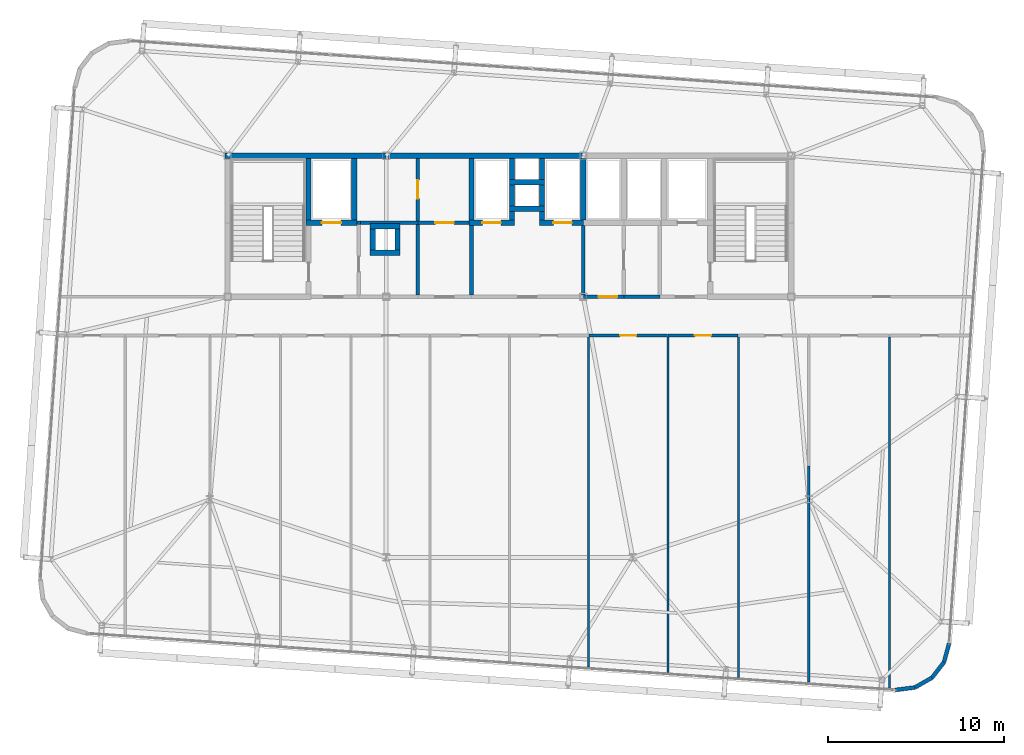
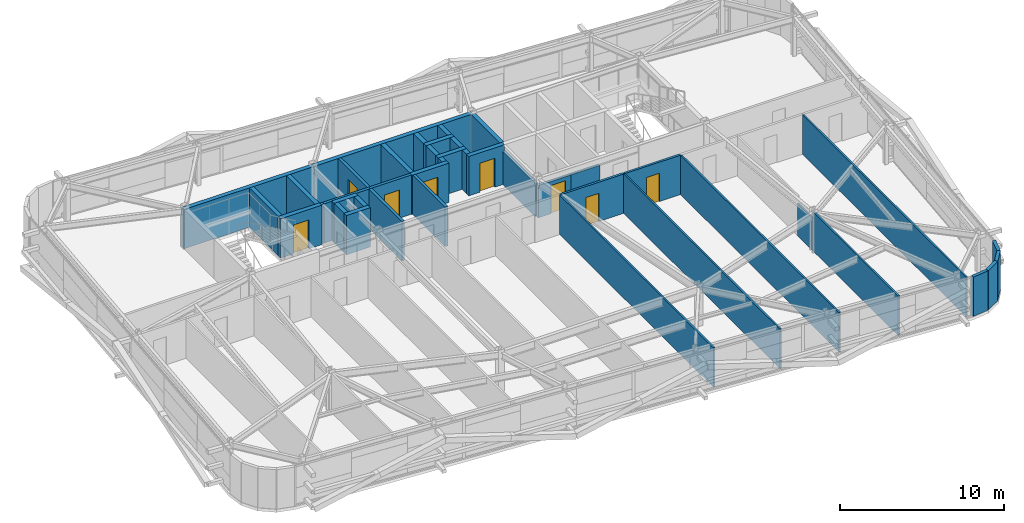
# One storey, part 36 of 39: 42 walls, 8 doors, 8 openings.
"""IFC4 building model written with IfcOpenShell, lengths in metres."""

import ifcopenshell
import ifcopenshell.guid

model = None  # the IFC model being written
_history = None  # IfcOwnerHistory: only IFC2X3 demands one
_inside = {}  # id of a spatial element -> (the spatial element, [elements in it])
_under = {}  # id of a project, library or spatial element -> (it, [spatial elements below it])
_declared = {}  # id of a project -> (the project, [libraries it declares])
_typed = {}  # id of a type object -> (the type object, [elements of that type])
_made_of = {}  # id of a material, layer set ... -> (it, [elements and type objects made of it])


def new_model(schema):
    """Start an empty IFC model of exactly this schema.

    Asked for "IFC4X3", IfcOpenShell would pick the latest addendum, in which some entities
    have other attributes; the version numbers below select the first issue.
    IFC2X3 requires an IfcOwnerHistory on every rooted entity: one is made here for all.
    """
    global model, _history
    if schema == "IFC4X3":
        model = ifcopenshell.file(schema_version=(4, 3, 0, 0))
    else:
        model = ifcopenshell.file(schema=schema)
    _inside.clear()
    _under.clear()
    _declared.clear()
    _typed.clear()
    _made_of.clear()
    _history = None
    if model.schema == "IFC2X3":
        org = make("IfcOrganization", Name="unknown")
        user = make(
            "IfcPersonAndOrganization",
            ThePerson=make("IfcPerson", FamilyName="unknown"),
            TheOrganization=org,
        )
        app = make(
            "IfcApplication",
            ApplicationDeveloper=org,
            Version="unknown",
            ApplicationFullName="unknown",
            ApplicationIdentifier="unknown",
        )
        _history = make(
            "IfcOwnerHistory",
            OwningUser=user,
            OwningApplication=app,
            ChangeAction="ADDED",
            CreationDate=0,
        )
    return model


def make(cls, **values):
    """One entity of the class cls with the attributes given. An attribute that is None is left unset."""
    return model.create_entity(
        cls, **{name: value for name, value in values.items() if value is not None}
    )


def rooted(cls, **values):
    """An entity with a GlobalId (a new one), such as an element, a storey or a relation."""
    return make(cls, GlobalId=ifcopenshell.guid.new(), OwnerHistory=_history, **values)


def si_unit(unit_type, name, prefix=None):
    """IfcSIUnit, for example si_unit("LENGTHUNIT", "METRE", prefix="MILLI")."""
    return make("IfcSIUnit", UnitType=unit_type, Prefix=prefix, Name=name)


def assignment(units):
    """IfcUnitAssignment: the units of a project."""
    return None if units is None else make("IfcUnitAssignment", Units=units)


def point(xyz):
    """IfcCartesianPoint."""
    return None if xyz is None else make("IfcCartesianPoint", Coordinates=xyz)


def direction(xyz):
    """IfcDirection."""
    return None if xyz is None else make("IfcDirection", DirectionRatios=xyz)


def frame(location, z_axis=None, x_axis=None):
    """IfcAxis2Placement3D, a coordinate frame: its origin and axes. An axis left out is left unset."""
    return make(
        "IfcAxis2Placement3D",
        Location=point(location),
        Axis=direction(z_axis),
        RefDirection=direction(x_axis),
    )


def frame_2d(location, x_axis=None):
    """IfcAxis2Placement2D, a coordinate frame in the plane: its origin and x axis."""
    return make(
        "IfcAxis2Placement2D", Location=point(location), RefDirection=direction(x_axis)
    )


def origin():
    """The frame at (0, 0, 0) with its axes left unset."""
    return frame((0.0, 0.0, 0.0))


def place(relative_to, where):
    """IfcLocalPlacement: puts the frame where relative to a parent placement (None: the world)."""
    return make(
        "IfcLocalPlacement", PlacementRelTo=relative_to, RelativePlacement=where
    )


def context(
    kind, dimensions, precision=None, world=None, true_north=None, identifier=None
):
    """IfcGeometricRepresentationContext, for example the 3D "Model" context."""
    return make(
        "IfcGeometricRepresentationContext",
        ContextIdentifier=identifier,
        ContextType=kind,
        CoordinateSpaceDimension=dimensions,
        Precision=precision,
        WorldCoordinateSystem=world,
        TrueNorth=true_north,
    )


def subcontext(parent, identifier, kind, view, scale=None):
    """IfcGeometricRepresentationSubContext, for example "Body" below "Model"."""
    return make(
        "IfcGeometricRepresentationSubContext",
        ContextIdentifier=identifier,
        ContextType=kind,
        ParentContext=parent,
        TargetScale=scale,
        TargetView=view,
    )


def project(units=None, contexts=None):
    """IfcProject with its units and contexts."""
    return rooted(
        "IfcProject",
        Name="project",
        RepresentationContexts=contexts,
        UnitsInContext=assignment(units),
    )


def spatial(cls, under=None, at=None, **own):
    """A site, building, storey or space (cls), placed at a placement, below another one or the project."""
    s = rooted(cls, ObjectPlacement=at, **own)
    if under is not None:
        _under.setdefault(under.id(), (under, []))[1].append(s)
    return s


def profile(cls, at=None, kind="AREA", **sizes):
    """A parametric profile (cls). Its sizes go by their IFC names, for example OverallWidth=200.0."""
    return make(cls, ProfileType=kind, Position=at, **sizes)


def rectangle(**sizes):
    """IfcRectangleProfileDef."""
    return profile("IfcRectangleProfileDef", **sizes)


def extrude(swept, where, along, depth):
    """IfcExtrudedAreaSolid: the profile swept, set in the frame where, extruded along a direction by depth."""
    return make(
        "IfcExtrudedAreaSolid",
        SweptArea=swept,
        Position=where,
        ExtrudedDirection=direction(along),
        Depth=depth,
    )


def shape(context_of_items, identifier, shape_type, items):
    """IfcShapeRepresentation: the items that make up one representation, for example the "Body"."""
    return make(
        "IfcShapeRepresentation",
        ContextOfItems=context_of_items,
        RepresentationIdentifier=identifier,
        RepresentationType=shape_type,
        Items=items,
    )


def source(mapping_origin, context_of_items, identifier, shape_type, items):
    """IfcRepresentationMap: a shape defined once, which mapped items show again and again."""
    return make(
        "IfcRepresentationMap",
        MappingOrigin=mapping_origin,
        MappedRepresentation=shape(context_of_items, identifier, shape_type, items),
    )


def transform(
    local_origin,
    x_axis=None,
    y_axis=None,
    z_axis=None,
    scale=None,
    scale2=None,
    scale3=None,
    uniform=True,
):
    """IfcCartesianTransformationOperator3D, or its non-uniform kind. x_axis, y_axis, z_axis: its Axis1, 2, 3."""
    if uniform:
        return make(
            "IfcCartesianTransformationOperator3D",
            Axis1=direction(x_axis),
            Axis2=direction(y_axis),
            LocalOrigin=point(local_origin),
            Scale=scale,
            Axis3=direction(z_axis),
        )
    return make(
        "IfcCartesianTransformationOperator3DnonUniform",
        Axis1=direction(x_axis),
        Axis2=direction(y_axis),
        LocalOrigin=point(local_origin),
        Scale=scale,
        Axis3=direction(z_axis),
        Scale2=scale2,
        Scale3=scale3,
    )


def mapped(mapping_source, mapping_target):
    """IfcMappedItem: shows the shape of a source again, moved by a transform."""
    return make(
        "IfcMappedItem", MappingSource=mapping_source, MappingTarget=mapping_target
    )


def material(Name=None, Category=None):
    """IfcMaterial."""
    return make("IfcMaterial", Name=Name, Category=Category)


def layer(
    of_material, thickness, ventilated=None, Name=None, Category=None, Priority=None
):
    """IfcMaterialLayer: one layer of a wall or slab, of a material (None: an air gap)."""
    return make(
        "IfcMaterialLayer",
        Material=of_material,
        LayerThickness=thickness,
        IsVentilated=ventilated,
        Name=Name,
        Category=Category,
        Priority=Priority,
    )


def layer_set(layers, Name=None):
    """IfcMaterialLayerSet."""
    return make("IfcMaterialLayerSet", MaterialLayers=layers, LayerSetName=Name)


def made_of(thing, what):
    """Note that an element or type object is made of a material, layer set ...; save() writes the relation."""
    if what is not None:
        _made_of.setdefault(what.id(), (what, []))[1].append(thing)
    return thing


def type_object(cls, material=None, **own):
    """A type object (cls), such as IfcWallType, which elements share."""
    return made_of(rooted(cls, **own), material)


def element(
    cls,
    number,
    at=None,
    inside=None,
    cuts=None,
    type_object=None,
    material=None,
    context=None,
    identifier="Body",
    shape_type=None,
    held_by="IfcProductDefinitionShape",
    body=None,
    shapes=None,
    **own,
):
    """One element of the class cls, such as IfcWall. Its Tag is "e" and its number.

    at: its placement. inside: the storey or other place that contains it. cuts: it is an
    opening in that element (IfcRelVoidsElement). A single representation is given by context,
    identifier, shape_type and body (its items); several are given by shapes. held_by: the class
    of the entity that holds the representations. save() writes the other relations.
    """
    e = rooted(cls, Tag="e%d" % number, ObjectPlacement=at, **own)
    if body is not None:
        shapes = [shape(context, identifier, shape_type, body)]
    if shapes is not None:
        e.Representation = make(held_by, Representations=shapes)
    if inside is not None:
        _inside.setdefault(inside.id(), (inside, []))[1].append(e)
    if cuts is not None:
        rooted(
            "IfcRelVoidsElement", RelatingBuildingElement=cuts, RelatedOpeningElement=e
        )
    if type_object is not None:
        _typed.setdefault(type_object.id(), (type_object, []))[1].append(e)
    return made_of(e, material)


def fill(opening, filler):
    """IfcRelFillsElement: the door or window that sits in an opening."""
    return rooted(
        "IfcRelFillsElement",
        RelatingOpeningElement=opening,
        RelatedBuildingElement=filler,
    )


def aggregate(whole, parts):
    """IfcRelAggregates: a whole, such as a stair, and the parts it consists of."""
    return rooted("IfcRelAggregates", RelatingObject=whole, RelatedObjects=parts)


def save(model, path):
    """Write the relations noted so far, then the file.

    IfcRelAggregates (storeys below a building ...), IfcRelContainedInSpatialStructure (elements
    in a storey), IfcRelDefinesByType, IfcRelAssociatesMaterial and IfcRelDeclares: one each for
    every whole, place, type object, material and project.
    """
    for whole, parts in _under.values():
        aggregate(whole, parts)
    for where, things in _inside.values():
        rooted(
            "IfcRelContainedInSpatialStructure",
            RelatedElements=things,
            RelatingStructure=where,
        )
    for kind, things in _typed.values():
        rooted("IfcRelDefinesByType", RelatedObjects=things, RelatingType=kind)
    for what, things in _made_of.values():
        rooted("IfcRelAssociatesMaterial", RelatedObjects=things, RelatingMaterial=what)
    for by, libraries in _declared.values():
        rooted("IfcRelDeclares", RelatingContext=by, RelatedDefinitions=libraries)
    model.write(path)


model = new_model("IFC4")

# Units and contexts
model_context = context("Model", 3, precision=1e-05, world=origin(), true_north=direction((0.0, 1.0)))
body_context = subcontext(model_context, "Body", "Model", "MODEL_VIEW")
ifc_project = project(units=[si_unit("LENGTHUNIT", "METRE"), si_unit("AREAUNIT", "SQUARE_METRE"), si_unit("VOLUMEUNIT", "CUBIC_METRE"), si_unit("PLANEANGLEUNIT", "RADIAN"), si_unit("MASSUNIT", "GRAM", prefix="KILO")], contexts=[model_context])

# Site, building, storey
site_placement = place(None, origin())
site = spatial("IfcSite", under=ifc_project, at=site_placement, CompositionType="ELEMENT")
building_placement = place(site_placement, origin())
building = spatial("IfcBuilding", under=site, at=building_placement, Name="Taldren Reach Tower", CompositionType="ELEMENT")
storey_placement = place(building_placement, frame((0.0, 0.0, 158.199951171875)))
storey = spatial("IfcBuildingStorey", under=building, at=storey_placement, Name="L48", CompositionType="ELEMENT", Elevation=158.199951171875)

# Walls
ifc_material_1 = material(Name="Pale Champagne Anodised Aluminium Cladding", Category="aluminium")
ifc_layer_1 = layer(ifc_material_1, 0.04, Name="Pale Champagne Anodised Aluminium Cladding", Category="aluminium")
ifc_material_2 = material(Name="Mineral Wool Acoustic Insulation", Category="insulation")
ifc_layer_2 = layer(ifc_material_2, 0.06, Name="Mineral Wool Acoustic Insulation", Category="insulation")
ifc_material_3 = material(Name="Steel Gr 350 (C350L0)", Category="steel")
ifc_layer_3 = layer(ifc_material_3, 0.12, Name="Steel Gr 350 (C350L0)", Category="steel")
ifc_layer_set_1 = layer_set([ifc_layer_1, ifc_layer_2, ifc_layer_3], Name="Pale Champagne Aluminium Cladding and Steel Gr 350 Stud Framing")
wall_type_1 = type_object("IfcWallType", Name="EW-CRN-220", PredefinedType="SOLIDWALL", material=ifc_layer_set_1)
shared_shape_1 = source(origin(), body_context, "Body", "SweptSolid", [
    extrude(rectangle(XDim=1.115966796875, YDim=0.219970703125, at=frame_2d((0.55810546875, 0.0))), origin(), (0.0, 0.0, 1.0), 2.929931640625),
])
for number, where, z_axis, x_axis, name in (
    (1, (58.02490234375, 1.8173828125, 0.0), (0.0, 0.0, 1.0), (0.868095010314, 0.496398079235, 0.0), "Rounded-corner pale-metal facade wall L48-SE2"),
    (2, (58.99365234375, 2.371337890625, 0.0), (0.0, 0.0, 1.0), (0.612318787668, 0.790610967714, 0.0), "Rounded-corner pale-metal facade wall L48-SE3"),
    (3, (59.677001953125, 3.253662109375, 0.0), (0.0, 0.0, 1.0), (0.262969307856, 0.964804199372, 0.0), "Rounded-corner pale-metal facade wall L48-SE4"),
):
    element("IfcWall", number, at=place(storey_placement, frame(where, z_axis=z_axis, x_axis=x_axis)), inside=storey, type_object=wall_type_1, Name=name, PredefinedType="SOLIDWALL", context=body_context, shape_type="MappedRepresentation", body=[
        mapped(shared_shape_1, transform((0.0, 0.0, 0.0), scale=1.0)),
    ])
shared_shape_2 = source(origin(), body_context, "Body", "SweptSolid", [
    extrude(rectangle(XDim=1.11572265625, YDim=0.219970703125, at=frame_2d((0.557861328125, 0.0))), origin(), (0.0, 0.0, 1.0), 2.929931640625),
])
wall_1_placement = place(storey_placement, frame((56.91796875, 1.6767578125, 0.0), z_axis=(0.0, 0.0, 1.0), x_axis=(0.99202678349, 0.126027222605, 0.0)))
element("IfcWall", 4, at=wall_1_placement, inside=storey, type_object=wall_type_1, Name="Rounded-corner pale-metal facade wall L48-SE1", PredefinedType="SOLIDWALL", context=body_context, shape_type="MappedRepresentation", body=[
    mapped(shared_shape_2, transform((0.0, 0.0, 0.0), scale=1.0)),
])

# Wall, opening, door
ifc_material_4 = material(Name="Fire-Rated Acoustic Plasterboard Stud Wall", Category="gypsum")
ifc_layer_4 = layer(ifc_material_4, 0.159912109375)
ifc_layer_set_2 = layer_set([ifc_layer_4], Name="Fire-Rated Acoustic Plasterboard Stud Wall")
wall_type_2 = type_object("IfcWallType", Name="IW-FIRE-160", PredefinedType="PARTITIONING", material=ifc_layer_set_2)
shared_shape_3 = source(origin(), body_context, "Body", "SweptSolid", [
    extrude(rectangle(XDim=3.95947265625, YDim=0.159912109375, at=frame_2d((1.979736328125, 0.0))), origin(), (0.0, 0.0, 1.0), 2.929931640625),
])
wall_2_placement = place(storey_placement, frame((47.979736328125, 21.800048828125, 0.0), z_axis=(0.0, 0.0, 1.0), x_axis=(-1.0, 0.0, 0.0)))
wall_2 = element("IfcWall", 5, at=wall_2_placement, inside=storey, type_object=wall_type_2, Name="Interior Partition Wall W-INT-L48-054", PredefinedType="PARTITIONING", context=body_context, shape_type="MappedRepresentation", body=[
    mapped(shared_shape_3, transform((0.0, 0.0, 0.0), scale=1.0)),
])
shared_shape_4 = source(origin(), body_context, "Body", "SweptSolid", [
    extrude(rectangle(XDim=0.919921875, YDim=2.10009765625, at=frame_2d((0.4599609375, 1.050048828125))), frame((0.0, 0.08984375, 0.0), z_axis=(0.0, -1.0, 0.0), x_axis=(1.0, 0.0, 0.0)), (0.0, 0.0, 1.0), 0.179931640625),
])
opening_1_placement = place(wall_2_placement, frame((1.519775390625, 0.0, 0.0)))
opening_1 = element("IfcOpeningElement", 6, at=opening_1_placement, cuts=wall_2, Name="Opening DI-092", PredefinedType="OPENING", context=body_context, shape_type="MappedRepresentation", body=[
    mapped(shared_shape_4, transform((0.0, 0.0, 0.0), scale=1.0)),
])
ifc_material_5 = material(Name="Solid-Core Timber Suite Door", Category="wood")
door_type_1 = type_object("IfcDoorType", Name="ID-INT-092", OperationType="NOTDEFINED", PredefinedType="DOOR", material=ifc_material_5)
shared_shape_5 = source(origin(), body_context, "Body", "SweptSolid", [
    extrude(rectangle(XDim=0.919921875, YDim=2.10009765625, at=frame_2d((0.4599609375, 1.050048828125))), frame((0.0, 0.02490234375, 0.0), z_axis=(0.0, -1.0, 0.0), x_axis=(1.0, 0.0, 0.0)), (0.0, 0.0, 1.0), 0.050048828125),
])
door_1_placement = place(opening_1_placement, origin())
door_1 = element("IfcDoor", 7, at=door_1_placement, inside=storey, type_object=door_type_1, Name="Interior Door DR-L48-019", OperationType="SINGLE_SWING_RIGHT", OverallHeight=2.10009765625, OverallWidth=0.919921875, PredefinedType="DOOR", context=body_context, shape_type="MappedRepresentation", body=[
    mapped(shared_shape_5, transform((0.0, 0.0, 0.0), scale=1.0)),
])
fill(opening_1, door_1)

ifc_material_6 = material(Name="Concrete S50 (50 MPa)", Category="concrete")
ifc_layer_5 = layer(ifc_material_6, 0.199951171875)
ifc_layer_set_3 = layer_set([ifc_layer_5], Name="Concrete S50 (50 MPa)")
wall_type_3 = type_object("IfcWallType", Name="IW-CORE-200", PredefinedType="SOLIDWALL", material=ifc_layer_set_3)
shared_shape_6 = source(origin(), body_context, "Body", "SweptSolid", [
    extrude(rectangle(XDim=2.300048828125, YDim=0.199951171875, at=frame_2d((1.14990234375, 0.0))), origin(), (0.0, 0.0, 1.0), 2.39697265625),
])
wall_3_placement = place(storey_placement, frame((41.5, 24.0, 0.0), z_axis=(0.0, 0.0, 1.0), x_axis=(-1.0, 0.0, 0.0)))
wall_3 = element("IfcWall", 8, at=wall_3_placement, inside=storey, type_object=wall_type_3, Name="Rear Core Shear Wall W-INT-L48-044", PredefinedType="SOLIDWALL", context=body_context, shape_type="MappedRepresentation", body=[
    mapped(shared_shape_6, transform((0.0, 0.0, 0.0), scale=1.0)),
])
shared_shape_7 = source(origin(), body_context, "Body", "SweptSolid", [
    extrude(rectangle(XDim=1.050048828125, YDim=2.10009765625, at=frame_2d((0.52490234375, 1.050048828125))), frame((0.0, 0.10986328125, 0.0), z_axis=(0.0, -1.0, 0.0), x_axis=(1.0, 0.0, 0.0)), (0.0, 0.0, 1.0), 0.219970703125),
])
opening_2_placement = place(wall_3_placement, frame((0.375, 0.0, 0.0)))
opening_2 = element("IfcOpeningElement", 9, at=opening_2_placement, cuts=wall_3, Name="Opening DF-105", PredefinedType="OPENING", context=body_context, shape_type="MappedRepresentation", body=[
    mapped(shared_shape_7, transform((0.0, 0.0, 0.0), scale=1.0)),
])
ifc_material_7 = material(Name="Fire-Rated Care and Stair Exit Door")
door_type_2 = type_object("IfcDoorType", Name="ID-FIRE-105", OperationType="NOTDEFINED", PredefinedType="DOOR", material=ifc_material_7)
shared_shape_8 = source(origin(), body_context, "Body", "SweptSolid", [
    extrude(rectangle(XDim=1.050048828125, YDim=2.10009765625, at=frame_2d((0.52490234375, 1.050048828125))), frame((0.0, 0.02490234375, 0.0), z_axis=(0.0, -1.0, 0.0), x_axis=(1.0, 0.0, 0.0)), (0.0, 0.0, 1.0), 0.050048828125),
])
door_2_placement = place(opening_2_placement, frame((1.050048828125, 0.0, 0.0), z_axis=(0.0, 0.0, 1.0), x_axis=(-1.0, 0.0, 0.0)))
door_2 = element("IfcDoor", 10, at=door_2_placement, inside=storey, type_object=door_type_2, Name="Interior Door DR-L48-010", OperationType="SINGLE_SWING_RIGHT", OverallHeight=2.10009765625, OverallWidth=1.050048828125, PredefinedType="DOOR", context=body_context, shape_type="MappedRepresentation", body=[
    mapped(shared_shape_8, transform((0.0, 0.0, 0.0), scale=1.0)),
])
fill(opening_2, door_2)

# Walls
shared_shape_9 = source(origin(), body_context, "Body", "SweptSolid", [
    extrude(rectangle(XDim=2.050048828125, YDim=0.199951171875, at=frame_2d((1.02490234375, 0.0))), origin(), (0.0, 0.0, 1.0), 2.39697265625),
])
wall_4_placement = place(storey_placement, frame((43.550048828125, 24.0, 0.0), z_axis=(0.0, 0.0, 1.0), x_axis=(-1.0, 0.0, 0.0)))
element("IfcWall", 11, at=wall_4_placement, inside=storey, type_object=wall_type_3, Name="Rear Core Shear Wall W-INT-L48-045", PredefinedType="SOLIDWALL", context=body_context, shape_type="MappedRepresentation", body=[
    mapped(shared_shape_9, transform((0.0, 0.0, 0.0), scale=1.0)),
])
ifc_material_8 = material(Name="Concrete S65 (65 MPa)", Category="concrete")
ifc_layer_6 = layer(ifc_material_8, 0.300048828125)
ifc_layer_set_4 = layer_set([ifc_layer_6], Name="Concrete S65 (65 MPa)")
wall_type_4 = type_object("IfcWallType", Name="IW-CORE-300", PredefinedType="SHEAR", material=ifc_layer_set_4)
shared_shape_10 = source(origin(), body_context, "Body", "SweptSolid", [
    extrude(rectangle(XDim=9.14990234375, YDim=0.300048828125, at=frame_2d((4.574951171875, 0.0))), origin(), (0.0, 0.0, 1.0), 2.929931640625),
])
wall_5_placement = place(storey_placement, frame((18.85009765625, 32.0, 0.0), z_axis=(0.0, 0.0, 1.0), x_axis=(1.0, 0.0, 0.0)))
element("IfcWall", 12, at=wall_5_placement, inside=storey, type_object=wall_type_4, Name="Rear Core Shear Wall W-CORE-L48-NORTH1", PredefinedType="SHEAR", context=body_context, shape_type="MappedRepresentation", body=[
    mapped(shared_shape_10, transform((0.0, 0.0, 0.0), scale=1.0)),
])
shared_shape_11 = source(origin(), body_context, "Body", "SweptSolid", [
    extrude(rectangle(XDim=11.199951171875, YDim=0.300048828125, at=frame_2d((5.60009765625, 0.0))), origin(), (0.0, 0.0, 1.0), 2.929931640625),
])
wall_6_placement = place(storey_placement, frame((28.0, 32.0, 0.0), z_axis=(0.0, 0.0, 1.0), x_axis=(1.0, 0.0, 0.0)))
element("IfcWall", 13, at=wall_6_placement, inside=storey, type_object=wall_type_4, Name="Rear Core Shear Wall W-CORE-L48-NORTH2", PredefinedType="SHEAR", context=body_context, shape_type="MappedRepresentation", body=[
    mapped(shared_shape_11, transform((0.0, 0.0, 0.0), scale=1.0)),
])
shared_shape_12 = source(origin(), body_context, "Body", "SweptSolid", [
    extrude(rectangle(XDim=3.5, YDim=0.300048828125, at=frame_2d((1.75, 0.0))), origin(), (0.0, 0.0, 1.0), 2.929931640625),
])
for number, where, z_axis, x_axis, name in (
    (14, (23.60009765625, 28.35009765625, 0.0), (0.0, 0.0, 1.0), (0.0, 1.0, 0.0), "Rear Core Shear Wall W-INT-L48-001"),
    (15, (26.199951171875, 28.35009765625, 0.0), (0.0, 0.0, 1.0), (0.0, 1.0, 0.0), "Rear Core Shear Wall W-INT-L48-005"),
    (16, (32.85009765625, 31.85009765625, 0.0), (0.0, 0.0, 1.0), (0.0, -1.0, 0.0), "Rear Core Shear Wall W-INT-L48-027"),
    (17, (39.199951171875, 28.35009765625, 0.0), (0.0, 0.0, 1.0), (0.0, 1.0, 0.0), "Rear Core Shear Wall W-INT-L48-030"),
):
    element("IfcWall", number, at=place(storey_placement, frame(where, z_axis=z_axis, x_axis=x_axis)), inside=storey, type_object=wall_type_4, Name=name, PredefinedType="SHEAR", context=body_context, shape_type="MappedRepresentation", body=[
        mapped(shared_shape_12, transform((0.0, 0.0, 0.0), scale=1.0)),
    ])

# Wall, opening, door
shared_shape_13 = source(origin(), body_context, "Body", "SweptSolid", [
    extrude(rectangle(XDim=2.900146484375, YDim=0.300048828125, at=frame_2d((1.4501953125, 0.0))), origin(), (0.0, 0.0, 1.0), 2.929931640625),
])
wall_7_placement = place(storey_placement, frame((23.449951171875, 28.199951171875, 0.0), z_axis=(0.0, 0.0, 1.0), x_axis=(1.0, 0.0, 0.0)))
wall_7 = element("IfcWall", 18, at=wall_7_placement, inside=storey, type_object=wall_type_4, Name="Rear Core Shear Wall W-INT-L48-004", PredefinedType="SHEAR", context=body_context, shape_type="MappedRepresentation", body=[
    mapped(shared_shape_13, transform((0.0, 0.0, 0.0), scale=1.0)),
])
shared_shape_14 = source(origin(), body_context, "Body", "SweptSolid", [
    extrude(rectangle(XDim=1.10009765625, YDim=2.14990234375, at=frame_2d((0.550048828125, 1.074951171875))), frame((0.0, 0.16015625, 0.0), z_axis=(0.0, -1.0, 0.0), x_axis=(1.0, 0.0, 0.0)), (0.0, 0.0, 1.0), 0.320068359375),
])
opening_3_placement = place(wall_7_placement, frame((0.89990234375, 0.0, 0.0)))
opening_3 = element("IfcOpeningElement", 19, at=opening_3_placement, cuts=wall_7, Name="Opening LD-FL1", PredefinedType="OPENING", context=body_context, shape_type="MappedRepresentation", body=[
    mapped(shared_shape_14, transform((0.0, 0.0, 0.0), scale=1.0)),
])
ifc_material_9 = material(Name="Stainless Steel Gr 316 Emergency Lift Landing Door", Category="steel")
door_type_3 = type_object("IfcDoorType", Name="LD-EMG-110", OperationType="SLIDING_TO_LEFT", PredefinedType="DOOR", material=ifc_material_9)
shared_shape_15 = source(origin(), body_context, "Body", "SweptSolid", [
    extrude(rectangle(XDim=1.10009765625, YDim=2.14990234375, at=frame_2d((0.550048828125, 1.074951171875))), frame((0.0, 0.02490234375, 0.0), z_axis=(0.0, -1.0, 0.0), x_axis=(1.0, 0.0, 0.0)), (0.0, 0.0, 1.0), 0.050048828125),
])
door_3_placement = place(opening_3_placement, origin())
door_3 = element("IfcDoor", 20, at=door_3_placement, inside=storey, type_object=door_type_3, Name="Lift Landing Door LD-FL1-L48", OperationType="SLIDING_TO_LEFT", OverallHeight=2.14990234375, OverallWidth=1.10009765625, PredefinedType="DOOR", context=body_context, shape_type="MappedRepresentation", body=[
    mapped(shared_shape_15, transform((0.0, 0.0, 0.0), scale=1.0)),
])
fill(opening_3, door_3)

# Walls
shared_shape_16 = source(origin(), body_context, "Body", "SweptSolid", [
    extrude(rectangle(XDim=3.949951171875, YDim=0.199951171875, at=frame_2d((1.97509765625, 0.0))), origin(), (0.0, 0.0, 1.0), 2.929931640625),
])
wall_8_placement = place(storey_placement, frame((32.85009765625, 24.10009765625, 0.0), z_axis=(0.0, 0.0, 1.0), x_axis=(0.0, 1.0, 0.0)))
element("IfcWall", 21, at=wall_8_placement, inside=storey, type_object=wall_type_3, Name="Rear Core Shear Wall W-INT-L48-031", PredefinedType="SOLIDWALL", context=body_context, shape_type="MappedRepresentation", body=[
    mapped(shared_shape_16, transform((0.0, 0.0, 0.0), scale=1.0)),
])
shared_shape_17 = source(origin(), body_context, "Body", "SweptSolid", [
    extrude(rectangle(XDim=2.0, YDim=0.300048828125, at=frame_2d((1.0, 0.0))), origin(), (0.0, 0.0, 1.0), 2.929931640625),
])
for number, where, z_axis, x_axis, name in (
    (22, (35.0, 30.5, 0.0), (0.0, 0.0, 1.0), (1.0, 0.0, 0.0), "Rear Core Shear Wall W-INT-L48-015"),
    (23, (35.0, 29.0, 0.0), (0.0, 0.0, 1.0), (1.0, 0.0, 0.0), "Rear Core Shear Wall W-INT-L48-020"),
):
    element("IfcWall", number, at=place(storey_placement, frame(where, z_axis=z_axis, x_axis=x_axis)), inside=storey, type_object=wall_type_4, Name=name, PredefinedType="SHEAR", context=body_context, shape_type="MappedRepresentation", body=[
        mapped(shared_shape_17, transform((0.0, 0.0, 0.0), scale=1.0)),
    ])
shared_shape_18 = source(origin(), body_context, "Body", "SweptSolid", [
    extrude(rectangle(XDim=1.2001953125, YDim=0.300048828125, at=frame_2d((0.60009765625, 0.0))), origin(), (0.0, 0.0, 1.0), 2.929931640625),
])
for number, where, z_axis, x_axis, name in (
    (24, (35.14990234375, 31.85009765625, 0.0), (0.0, 0.0, 1.0), (0.0, -1.0, 0.0), "Rear Core Shear Wall W-INT-L48-016"),
    (25, (36.85009765625, 30.64990234375, 0.0), (0.0, 0.0, 1.0), (0.0, 1.0, 0.0), "Rear Core Shear Wall W-INT-L48-017"),
    (26, (35.14990234375, 30.35009765625, 0.0), (0.0, 0.0, 1.0), (0.0, -1.0, 0.0), "Rear Core Shear Wall W-INT-L48-018"),
    (27, (36.85009765625, 29.14990234375, 0.0), (0.0, 0.0, 1.0), (0.0, 1.0, 0.0), "Rear Core Shear Wall W-INT-L48-019"),
    (28, (28.64990234375, 26.64990234375, 0.0), (0.0, 0.0, 1.0), (0.0, 1.0, 0.0), "Rear Core Shear Wall W-INT-L48-021"),
    (29, (27.25, 27.85009765625, 0.0), (0.0, 0.0, 1.0), (0.0, -1.0, 0.0), "Rear Core Shear Wall W-INT-L48-022"),
):
    element("IfcWall", number, at=place(storey_placement, frame(where, z_axis=z_axis, x_axis=x_axis)), inside=storey, type_object=wall_type_4, Name=name, PredefinedType="SHEAR", context=body_context, shape_type="MappedRepresentation", body=[
        mapped(shared_shape_18, transform((0.0, 0.0, 0.0), scale=1.0)),
    ])
shared_shape_19 = source(origin(), body_context, "Body", "SweptSolid", [
    extrude(rectangle(XDim=0.5, YDim=0.300048828125, at=frame_2d((0.25, 0.0))), origin(), (0.0, 0.0, 1.0), 2.929931640625),
])
for number, where, z_axis, x_axis, name in (
    (30, (35.14990234375, 28.35009765625, 0.0), (0.0, 0.0, 1.0), (0.0, 1.0, 0.0), "Rear Core Shear Wall W-INT-L48-026"),
    (31, (36.85009765625, 28.85009765625, 0.0), (0.0, 0.0, 1.0), (0.0, -1.0, 0.0), "Rear Core Shear Wall W-INT-L48-029"),
):
    element("IfcWall", number, at=place(storey_placement, frame(where, z_axis=z_axis, x_axis=x_axis)), inside=storey, type_object=wall_type_4, Name=name, PredefinedType="SHEAR", context=body_context, shape_type="MappedRepresentation", body=[
        mapped(shared_shape_19, transform((0.0, 0.0, 0.0), scale=1.0)),
    ])

# Wall, opening, door
shared_shape_20 = source(origin(), body_context, "Body", "SweptSolid", [
    extrude(rectangle(XDim=2.60009765625, YDim=0.300048828125, at=frame_2d((1.300048828125, 0.0))), origin(), (0.0, 0.0, 1.0), 2.929931640625),
])
wall_9_placement = place(storey_placement, frame((32.699951171875, 28.199951171875, 0.0), z_axis=(0.0, 0.0, 1.0), x_axis=(1.0, 0.0, 0.0)))
wall_9 = element("IfcWall", 32, at=wall_9_placement, inside=storey, type_object=wall_type_4, Name="Rear Core Shear Wall W-INT-L48-025", PredefinedType="SHEAR", context=body_context, shape_type="MappedRepresentation", body=[
    mapped(shared_shape_20, transform((0.0, 0.0, 0.0), scale=1.0)),
])
shared_shape_21 = source(origin(), body_context, "Body", "SweptSolid", [
    extrude(rectangle(XDim=1.050048828125, YDim=2.14990234375, at=frame_2d((0.52490234375, 1.074951171875))), frame((0.0, 0.16015625, 0.0), z_axis=(0.0, -1.0, 0.0), x_axis=(1.0, 0.0, 0.0)), (0.0, 0.0, 1.0), 0.320068359375),
])
opening_4_placement = place(wall_9_placement, frame((0.77490234375, 0.0, 0.0)))
opening_4 = element("IfcOpeningElement", 33, at=opening_4_placement, cuts=wall_9, Name="Opening LD-PM1", PredefinedType="OPENING", context=body_context, shape_type="MappedRepresentation", body=[
    mapped(shared_shape_21, transform((0.0, 0.0, 0.0), scale=1.0)),
])
ifc_material_10 = material(Name="Stainless Steel Gr 316 Passenger Lift Landing Door", Category="steel")
door_type_4 = type_object("IfcDoorType", Name="LD-PAS-105", OperationType="SLIDING_TO_LEFT", PredefinedType="DOOR", material=ifc_material_10)
shared_shape_22 = source(origin(), body_context, "Body", "SweptSolid", [
    extrude(rectangle(XDim=1.050048828125, YDim=2.14990234375, at=frame_2d((0.52490234375, 1.074951171875))), frame((0.0, 0.02490234375, 0.0), z_axis=(0.0, -1.0, 0.0), x_axis=(1.0, 0.0, 0.0)), (0.0, 0.0, 1.0), 0.050048828125),
])
door_4_placement = place(opening_4_placement, origin())
door_4 = element("IfcDoor", 34, at=door_4_placement, inside=storey, type_object=door_type_4, Name="Lift Landing Door LD-PM1-L48", OperationType="SLIDING_TO_LEFT", OverallHeight=2.14990234375, OverallWidth=1.050048828125, PredefinedType="DOOR", context=body_context, shape_type="MappedRepresentation", body=[
    mapped(shared_shape_22, transform((0.0, 0.0, 0.0), scale=1.0)),
])
fill(opening_4, door_4)

# Walls
shared_shape_23 = source(origin(), body_context, "Body", "SweptSolid", [
    extrude(rectangle(XDim=4.0, YDim=0.199951171875, at=frame_2d((2.0, 0.0))), origin(), (0.0, 0.0, 1.0), 2.929931640625),
])
wall_10_placement = place(storey_placement, frame((29.800048828125, 28.10009765625, 0.0), z_axis=(0.0, 0.0, 1.0), x_axis=(0.0, -1.0, 0.0)))
element("IfcWall", 35, at=wall_10_placement, inside=storey, type_object=wall_type_3, Name="Rear Core Shear Wall W-INT-L48-037", PredefinedType="SOLIDWALL", context=body_context, shape_type="MappedRepresentation", body=[
    mapped(shared_shape_23, transform((0.0, 0.0, 0.0), scale=1.0)),
])
shared_shape_24 = source(origin(), body_context, "Body", "SweptSolid", [
    extrude(rectangle(XDim=1.699951171875, YDim=0.300048828125, at=frame_2d((0.85009765625, 0.0))), origin(), (0.0, 0.0, 1.0), 2.929931640625),
])
for number, where, z_axis, x_axis, name in (
    (36, (28.800048828125, 28.0, 0.0), (0.0, 0.0, 1.0), (-1.0, 0.0, 0.0), "Rear Core Shear Wall W-INT-L48-023"),
    (37, (27.10009765625, 26.5, 0.0), (0.0, 0.0, 1.0), (1.0, 0.0, 0.0), "Rear Core Shear Wall W-INT-L48-024"),
):
    element("IfcWall", number, at=place(storey_placement, frame(where, z_axis=z_axis, x_axis=x_axis)), inside=storey, type_object=wall_type_4, Name=name, PredefinedType="SHEAR", context=body_context, shape_type="MappedRepresentation", body=[
        mapped(shared_shape_24, transform((0.0, 0.0, 0.0), scale=1.0)),
    ])

# Wall, opening, door
shared_shape_25 = source(origin(), body_context, "Body", "SweptSolid", [
    extrude(rectangle(XDim=2.5, YDim=0.300048828125, at=frame_2d((1.25, 0.0))), origin(), (0.0, 0.0, 1.0), 2.929931640625),
])
wall_11_placement = place(storey_placement, frame((36.699951171875, 28.199951171875, 0.0), z_axis=(0.0, 0.0, 1.0), x_axis=(1.0, 0.0, 0.0)))
wall_11 = element("IfcWall", 38, at=wall_11_placement, inside=storey, type_object=wall_type_4, Name="Rear Core Shear Wall W-INT-L48-028", PredefinedType="SHEAR", context=body_context, shape_type="MappedRepresentation", body=[
    mapped(shared_shape_25, transform((0.0, 0.0, 0.0), scale=1.0)),
])
opening_5_placement = place(wall_11_placement, frame((0.794921875, 0.0, 0.0)))
opening_5 = element("IfcOpeningElement", 39, at=opening_5_placement, cuts=wall_11, Name="Opening LD-PM2", PredefinedType="OPENING", context=body_context, shape_type="MappedRepresentation", body=[
    mapped(shared_shape_21, transform((0.0, 0.0, 0.0), scale=1.0)),
])
door_5_placement = place(opening_5_placement, origin())
door_5 = element("IfcDoor", 40, at=door_5_placement, inside=storey, type_object=door_type_4, Name="Lift Landing Door LD-PM2-L48", OperationType="SLIDING_TO_LEFT", OverallHeight=2.14990234375, OverallWidth=1.050048828125, PredefinedType="DOOR", context=body_context, shape_type="MappedRepresentation", body=[
    mapped(shared_shape_22, transform((0.0, 0.0, 0.0), scale=1.0)),
])
fill(opening_5, door_5)

# Walls
shared_shape_26 = source(origin(), body_context, "Body", "SweptSolid", [
    extrude(rectangle(XDim=3.949951171875, YDim=0.199951171875, at=frame_2d((1.97509765625, 0.0))), origin(), (0.0, 0.0, 1.0), 2.469970703125),
])
wall_12_placement = place(storey_placement, frame((39.199951171875, 28.050048828125, 0.0), z_axis=(0.0, 0.0, 1.0), x_axis=(0.0, -1.0, 0.0)))
element("IfcWall", 41, at=wall_12_placement, inside=storey, type_object=wall_type_3, Name="Rear Core Shear Wall W-INT-L48-032", PredefinedType="SOLIDWALL", context=body_context, shape_type="MappedRepresentation", body=[
    mapped(shared_shape_26, transform((0.0, 0.0, 0.0), scale=1.0)),
])
shared_shape_27 = source(origin(), body_context, "Body", "SweptSolid", [
    extrude(rectangle(XDim=3.35009765625, YDim=0.199951171875, at=frame_2d((1.675048828125, 0.0))), origin(), (0.0, 0.0, 1.0), 2.929931640625),
])
wall_13_placement = place(storey_placement, frame((26.449951171875, 28.199951171875, 0.0), z_axis=(0.0, 0.0, 1.0), x_axis=(1.0, 0.0, 0.0)))
element("IfcWall", 42, at=wall_13_placement, inside=storey, type_object=wall_type_3, Name="Rear Core Shear Wall W-INT-L48-038", PredefinedType="SOLIDWALL", context=body_context, shape_type="MappedRepresentation", body=[
    mapped(shared_shape_27, transform((0.0, 0.0, 0.0), scale=1.0)),
])

# Wall, opening, door
shared_shape_28 = source(origin(), body_context, "Body", "SweptSolid", [
    extrude(rectangle(XDim=2.89990234375, YDim=0.199951171875, at=frame_2d((1.449951171875, 0.0))), origin(), (0.0, 0.0, 1.0), 2.929931640625),
])
wall_14_placement = place(storey_placement, frame((29.800048828125, 28.199951171875, 0.0), z_axis=(0.0, 0.0, 1.0), x_axis=(1.0, 0.0, 0.0)))
wall_14 = element("IfcWall", 43, at=wall_14_placement, inside=storey, type_object=wall_type_3, Name="Rear Core Shear Wall W-INT-L48-040", PredefinedType="SOLIDWALL", context=body_context, shape_type="MappedRepresentation", body=[
    mapped(shared_shape_28, transform((0.0, 0.0, 0.0), scale=1.0)),
])
opening_6_placement = place(wall_14_placement, frame((1.0, 0.0, 0.0)))
opening_6 = element("IfcOpeningElement", 44, at=opening_6_placement, cuts=wall_14, Name="Opening DF-105", PredefinedType="OPENING", context=body_context, shape_type="MappedRepresentation", body=[
    mapped(shared_shape_7, transform((0.0, 0.0, 0.0), scale=1.0)),
])
door_6_placement = place(opening_6_placement, origin())
door_6 = element("IfcDoor", 45, at=door_6_placement, inside=storey, type_object=door_type_2, Name="Interior Door DR-L48-006", OperationType="SINGLE_SWING_LEFT", OverallHeight=2.10009765625, OverallWidth=1.050048828125, PredefinedType="DOOR", context=body_context, shape_type="MappedRepresentation", body=[
    mapped(shared_shape_8, transform((0.0, 0.0, 0.0), scale=1.0)),
])
fill(opening_6, door_6)

shared_shape_29 = source(origin(), body_context, "Body", "SweptSolid", [
    extrude(rectangle(XDim=3.550048828125, YDim=0.199951171875, at=frame_2d((1.77490234375, 0.0))), origin(), (0.0, 0.0, 1.0), 2.929931640625),
])
wall_15_placement = place(storey_placement, frame((29.800048828125, 31.85009765625, 0.0), z_axis=(0.0, 0.0, 1.0), x_axis=(0.0, -1.0, 0.0)))
wall_15 = element("IfcWall", 46, at=wall_15_placement, inside=storey, type_object=wall_type_3, Name="Rear Core Shear Wall W-INT-L48-042", PredefinedType="SOLIDWALL", context=body_context, shape_type="MappedRepresentation", body=[
    mapped(shared_shape_29, transform((0.0, 0.0, 0.0), scale=1.0)),
])
opening_7_placement = place(wall_15_placement, frame((1.22509765625, 0.0, 0.0)))
opening_7 = element("IfcOpeningElement", 47, at=opening_7_placement, cuts=wall_15, Name="Opening DF-105", PredefinedType="OPENING", context=body_context, shape_type="MappedRepresentation", body=[
    mapped(shared_shape_7, transform((0.0, 0.0, 0.0), scale=1.0)),
])
door_7_placement = place(opening_7_placement, frame((1.050048828125, 0.0, 0.0), z_axis=(0.0, 0.0, 1.0), x_axis=(-1.0, 0.0, 0.0)))
door_7 = element("IfcDoor", 48, at=door_7_placement, inside=storey, type_object=door_type_2, Name="Interior Door DR-L48-008", OperationType="SINGLE_SWING_RIGHT", OverallHeight=2.10009765625, OverallWidth=1.050048828125, PredefinedType="DOOR", context=body_context, shape_type="MappedRepresentation", body=[
    mapped(shared_shape_8, transform((0.0, 0.0, 0.0), scale=1.0)),
])
fill(opening_7, door_7)

# Walls
ifc_material_11 = material(Name="Insulated Residential Stud Partition", Category="gypsum")
ifc_layer_7 = layer(ifc_material_11, 0.1201171875)
ifc_layer_set_5 = layer_set([ifc_layer_7], Name="Insulated Residential Stud Partition")
wall_type_5 = type_object("IfcWallType", Name="IW-PART-120", PredefinedType="PARTITIONING", material=ifc_layer_set_5)
shared_shape_30 = source(origin(), body_context, "Body", "SweptSolid", [
    extrude(rectangle(XDim=1.9013671875, YDim=0.1201171875, at=frame_2d((0.95068359375, 0.0))), origin(), (0.0, 0.0, 1.0), 2.39697265625),
])
wall_16_placement = place(storey_placement, frame((52.0, 14.396240234375, 0.0), z_axis=(0.0, 0.0, 1.0), x_axis=(0.0, -1.0, 0.0)))
element("IfcWall", 49, at=wall_16_placement, inside=storey, type_object=wall_type_5, Name="Interior Partition Wall W-INT-L48-069 part 2", PredefinedType="PARTITIONING", context=body_context, shape_type="MappedRepresentation", body=[
    mapped(shared_shape_30, transform((0.0, 0.0, 0.0), scale=1.0)),
])
shared_shape_31 = source(origin(), body_context, "Body", "SweptSolid", [
    extrude(rectangle(XDim=0.199951171875, YDim=0.199951171875, at=frame_2d((0.10009765625, 0.0))), origin(), (0.0, 0.0, 1.0), 2.929931640625),
])
wall_17_placement = place(storey_placement, frame((26.35009765625, 28.199951171875, 0.0), z_axis=(0.0, 0.0, 1.0), x_axis=(1.0, 0.0, 0.0)))
element("IfcWall", 50, at=wall_17_placement, inside=storey, type_object=wall_type_3, Name="Rear Core Partition Wall W-INT-L48-071", PredefinedType="SOLIDWALL", context=body_context, shape_type="MappedRepresentation", body=[
    mapped(shared_shape_31, transform((0.0, 0.0, 0.0), scale=1.0)),
])
shared_shape_32 = source(origin(), body_context, "Body", "SweptSolid", [
    extrude(rectangle(XDim=10.37646484375, YDim=0.1201171875, at=frame_2d((5.188232421875, 0.0))), origin(), (0.0, 0.0, 1.0), 2.929931640625),
])
wall_18_placement = place(storey_placement, frame((52.0, 12.494873046875, 0.0), z_axis=(0.0, 0.0, 1.0), x_axis=(0.0, -1.0, 0.0)))
element("IfcWall", 51, at=wall_18_placement, inside=storey, type_object=wall_type_5, Name="Interior Partition Wall W-INT-L48-069 part 3", PredefinedType="PARTITIONING", context=body_context, shape_type="MappedRepresentation", body=[
    mapped(shared_shape_32, transform((0.0, 0.0, 0.0), scale=1.0)),
])
shared_shape_33 = source(origin(), body_context, "Body", "SweptSolid", [
    extrude(rectangle(XDim=19.92041015625, YDim=0.1201171875, at=frame_2d((9.960205078125, 0.0))), origin(), (0.0, 0.0, 1.0), 2.929931640625),
])
wall_19_placement = place(storey_placement, frame((56.588134765625, 21.718017578125, 0.0), z_axis=(0.0, 0.0, 1.0), x_axis=(0.0, -1.0, 0.0)))
element("IfcWall", 52, at=wall_19_placement, inside=storey, type_object=wall_type_5, Name="Interior Partition Wall W-INT-L48-070", PredefinedType="PARTITIONING", context=body_context, shape_type="MappedRepresentation", body=[
    mapped(shared_shape_33, transform((0.0, 0.0, 0.0), scale=1.0)),
])

# Wall, opening, door
shared_shape_34 = source(origin(), body_context, "Body", "SweptSolid", [
    extrude(rectangle(XDim=4.45947265625, YDim=0.159912109375, at=frame_2d((2.229736328125, 0.0))), origin(), (0.0, 0.0, 1.0), 2.929931640625),
])
wall_20_placement = place(storey_placement, frame((43.979736328125, 21.800048828125, 0.0), z_axis=(0.0, 0.0, 1.0), x_axis=(-1.0, 0.0, 0.0)))
wall_20 = element("IfcWall", 53, at=wall_20_placement, inside=storey, type_object=wall_type_2, Name="Interior Partition Wall W-INT-L48-053", PredefinedType="PARTITIONING", context=body_context, shape_type="MappedRepresentation", body=[
    mapped(shared_shape_34, transform((0.0, 0.0, 0.0), scale=1.0)),
])
opening_8_placement = place(wall_20_placement, frame((1.769775390625, 0.0, 0.0)))
opening_8 = element("IfcOpeningElement", 54, at=opening_8_placement, cuts=wall_20, Name="Opening DI-092", PredefinedType="OPENING", context=body_context, shape_type="MappedRepresentation", body=[
    mapped(shared_shape_4, transform((0.0, 0.0, 0.0), scale=1.0)),
])
door_8_placement = place(opening_8_placement, origin())
door_8 = element("IfcDoor", 55, at=door_8_placement, inside=storey, type_object=door_type_1, Name="Interior Door DR-L48-018", OperationType="SINGLE_SWING_LEFT", OverallHeight=2.10009765625, OverallWidth=0.919921875, PredefinedType="DOOR", context=body_context, shape_type="MappedRepresentation", body=[
    mapped(shared_shape_5, transform((0.0, 0.0, 0.0), scale=1.0)),
])
fill(opening_8, door_8)

# Walls
shared_shape_35 = source(origin(), body_context, "Body", "SweptSolid", [
    extrude(rectangle(XDim=18.7294921875, YDim=0.1201171875, at=frame_2d((9.36474609375, 0.0))), origin(), (0.0, 0.0, 1.0), 2.929931640625),
])
wall_21_placement = place(storey_placement, frame((39.5, 21.719970703125, 0.0), z_axis=(0.0, 0.0, 1.0), x_axis=(0.0, -1.0, 0.0)))
element("IfcWall", 56, at=wall_21_placement, inside=storey, type_object=wall_type_5, Name="Interior Partition Wall W-INT-L48-066", PredefinedType="PARTITIONING", context=body_context, shape_type="MappedRepresentation", body=[
    mapped(shared_shape_35, transform((0.0, 0.0, 0.0), scale=1.0)),
])
shared_shape_36 = source(origin(), body_context, "Body", "SweptSolid", [
    extrude(rectangle(XDim=19.040283203125, YDim=0.1201171875, at=frame_2d((9.52001953125, 0.0))), origin(), (0.0, 0.0, 1.0), 2.929931640625),
])
wall_22_placement = place(storey_placement, frame((44.0, 21.718017578125, 0.0), z_axis=(0.0, 0.0, 1.0), x_axis=(0.0, -1.0, 0.0)))
element("IfcWall", 57, at=wall_22_placement, inside=storey, type_object=wall_type_5, Name="Interior Partition Wall W-INT-L48-067", PredefinedType="PARTITIONING", context=body_context, shape_type="MappedRepresentation", body=[
    mapped(shared_shape_36, transform((0.0, 0.0, 0.0), scale=1.0)),
])
shared_shape_37 = source(origin(), body_context, "Body", "SweptSolid", [
    extrude(rectangle(XDim=19.323974609375, YDim=0.1201171875, at=frame_2d((9.662109375, 0.0))), origin(), (0.0, 0.0, 1.0), 2.929931640625),
])
wall_23_placement = place(storey_placement, frame((48.0, 21.719970703125, 0.0), z_axis=(0.0, 0.0, 1.0), x_axis=(0.0, -1.0, 0.0)))
element("IfcWall", 58, at=wall_23_placement, inside=storey, type_object=wall_type_5, Name="Interior Partition Wall W-INT-L48-068", PredefinedType="PARTITIONING", context=body_context, shape_type="MappedRepresentation", body=[
    mapped(shared_shape_37, transform((0.0, 0.0, 0.0), scale=1.0)),
])

save(model, "model.ifc")
